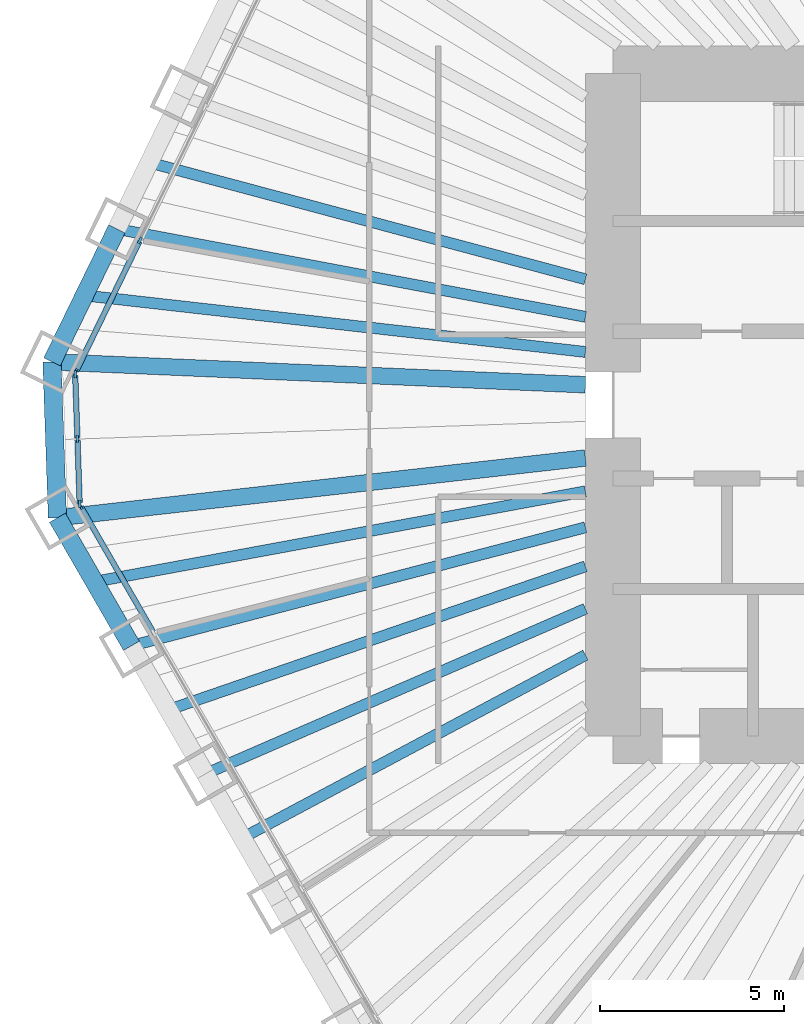
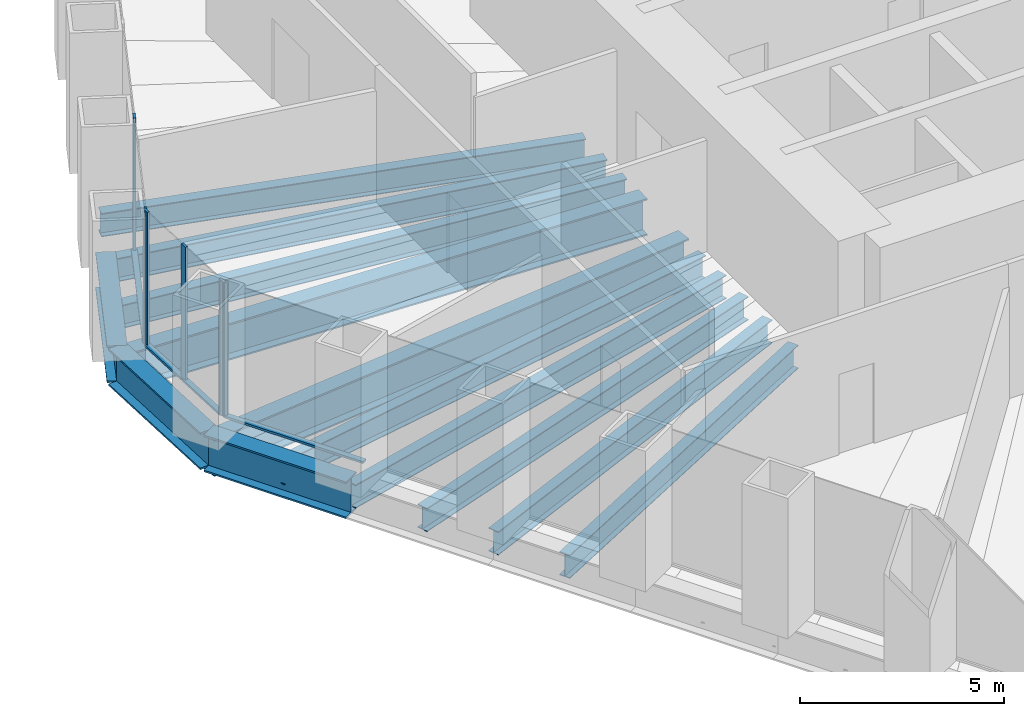
# One storey, part 3 of 13: 13 beams, 10 members, 3 elements without a shape of their own.
"""IFC4 building model written with IfcOpenShell, lengths in metres."""

from ifc_helpers import new_model, si_unit, direction, frame, origin, origin_2d, place, context, subcontext, project, spatial, rectangle, i_section, extrude, material, material_profile, profile_set, type_object, element, aggregate, save


model = new_model("IFC4")

# Units and contexts
model_context = context("Model", 3, precision=1e-05, world=origin(), true_north=direction((0.0, 1.0)))
body_context = subcontext(model_context, "Body", "Model", "MODEL_VIEW")
ifc_project = project(units=[si_unit("LENGTHUNIT", "METRE"), si_unit("AREAUNIT", "SQUARE_METRE"), si_unit("VOLUMEUNIT", "CUBIC_METRE"), si_unit("PLANEANGLEUNIT", "RADIAN"), si_unit("MASSUNIT", "GRAM", prefix="KILO")], contexts=[model_context])

# Site, building, storey
site_placement = place(None, origin())
site = spatial("IfcSite", under=ifc_project, at=site_placement, CompositionType="ELEMENT")
building_placement = place(site_placement, origin())
building = spatial("IfcBuilding", under=site, at=building_placement, Name="Qingtian Harvest Tower", CompositionType="ELEMENT")
storey_placement = place(building_placement, frame((0.0, 0.0, 149.199951171875)))
storey = spatial("IfcBuildingStorey", under=building, at=storey_placement, Name="L31", CompositionType="ELEMENT", Elevation=149.199951171875)

# Beams
ifc_material_1 = material(Name="Steel SM570MC", Category="steel")
ifc_material_profile_1 = material_profile(ifc_material_1, i_section(OverallWidth=0.449951171875, OverallDepth=1.10009765625, WebThickness=0.02197265625, FlangeThickness=0.044921875, at=origin_2d()), Name="H1100x450x22x45")
ifc_profile_set_1 = profile_set([ifc_material_profile_1], Name="Steel SM570MC")
beam_type_1 = type_object("IfcBeamType", Name="Corner floor beam FB8 H1100x450x22x45", PredefinedType="BEAM", material=ifc_profile_set_1)
beam_1_placement = place(storey_placement, frame((-27.096923828125, -3.066650390625, -0.719970703125), z_axis=(0.993656070393, 0.112461610213, 0.0), x_axis=(-0.112461610213, 0.993656070393, 0.0)))
element("IfcBeam", 1, at=beam_1_placement, inside=storey, type_object=beam_type_1, Name="Floor beam FB8 SW6", PredefinedType="BEAM", context=body_context, shape_type="SweptSolid", body=[
    extrude(i_section(OverallWidth=0.449951171875, OverallDepth=1.10009765625, WebThickness=0.02197265625, FlangeThickness=0.044921875, at=origin_2d()), origin(), (0.0, 0.0, 1.0), 14.4384765625),
])
beam_2_placement = place(storey_placement, frame((-27.244873046875, 1.1689453125, -0.719970703125), z_axis=(0.999081074678, -0.042860310542, 0.0), x_axis=(0.042860310542, 0.999081074678, 0.0)))
element("IfcBeam", 2, at=beam_2_placement, inside=storey, type_object=beam_type_1, Name="Floor beam FB8 NW0", PredefinedType="BEAM", context=body_context, shape_type="SweptSolid", body=[
    extrude(i_section(OverallWidth=0.449951171875, OverallDepth=1.10009765625, WebThickness=0.02197265625, FlangeThickness=0.044921875, at=origin_2d()), origin(), (0.0, 0.0, 1.0), 14.50830078125),
])
ifc_material_2 = material(Name="Steel SN490B", Category="steel")
ifc_material_profile_2 = material_profile(ifc_material_2, i_section(OverallWidth=0.300048828125, OverallDepth=0.699951171875, WebThickness=0.012939453125, FlangeThickness=0.02392578125, at=origin_2d()), Name="H700x300x13x24")
ifc_profile_set_2 = profile_set([ifc_material_profile_2], Name="Steel SN490B")
beam_type_2 = type_object("IfcBeamType", Name="Floor beam FB2 H700x300x13x24", PredefinedType="BEAM", material=ifc_profile_set_2)
beam_3_placement = place(storey_placement, frame((-23.077880859375, -10.02783203125, -0.52001953125), z_axis=(0.917154138631, 0.398532666154, 0.0), x_axis=(-0.398532666154, 0.917154138631, 0.0)))
element("IfcBeam", 3, at=beam_3_placement, inside=storey, type_object=beam_type_2, Name="Floor beam FB2 SW4", PredefinedType="BEAM", context=body_context, shape_type="SweptSolid", body=[
    extrude(i_section(OverallWidth=0.300048828125, OverallDepth=0.699951171875, WebThickness=0.012939453125, FlangeThickness=0.02392578125, at=origin_2d()), origin(), (0.0, 0.0, 1.0), 11.2607421875),
])
beam_4_placement = place(storey_placement, frame((-25.08740234375, -6.547119140625, -0.52001953125), z_axis=(0.967592867696, 0.252515429991, 0.0), x_axis=(-0.252515429991, 0.967592867696, 0.0)))
element("IfcBeam", 4, at=beam_4_placement, inside=storey, type_object=beam_type_2, Name="Floor beam FB2 SW5", PredefinedType="BEAM", context=body_context, shape_type="SweptSolid", body=[
    extrude(i_section(OverallWidth=0.300048828125, OverallDepth=0.699951171875, WebThickness=0.012939453125, FlangeThickness=0.02392578125, at=origin_2d()), origin(), (0.0, 0.0, 1.0), 12.750732421875),
])
beam_5_placement = place(storey_placement, frame((-25.483154296875, 4.78125, -0.52001953125), z_axis=(0.982851913913, -0.184396625015, 0.0), x_axis=(0.184396625015, 0.982851913913, 0.0)))
element("IfcBeam", 5, at=beam_5_placement, inside=storey, type_object=beam_type_2, Name="Floor beam FB2 NW1", PredefinedType="BEAM", context=body_context, shape_type="SweptSolid", body=[
    extrude(i_section(OverallWidth=0.300048828125, OverallDepth=0.699951171875, WebThickness=0.012939453125, FlangeThickness=0.02392578125, at=origin_2d()), origin(), (0.0, 0.0, 1.0), 12.955322265625),
])
ifc_material_3 = material(Name="Steel SN490B", Category="steel")
ifc_material_profile_3 = material_profile(ifc_material_3, i_section(OverallWidth=0.300048828125, OverallDepth=0.699951171875, WebThickness=0.012939453125, FlangeThickness=0.02392578125, at=origin_2d()), Name="H700x300x13x24")
ifc_profile_set_3 = profile_set([ifc_material_profile_3], Name="Steel SN490B")
beam_type_3 = type_object("IfcBeamType", Name="Floor joist J2 H700x300x13x24", PredefinedType="JOIST", material=ifc_profile_set_3)
beam_6_placement = place(storey_placement, frame((-22.0732421875, -11.76806640625, -0.52001953125), z_axis=(0.882429048443, 0.47044550637, 0.0), x_axis=(-0.47044550637, 0.882429048443, 0.0)))
element("IfcBeam", 6, at=beam_6_placement, inside=storey, type_object=beam_type_3, Name="Floor joist J2 SW3", PredefinedType="JOIST", context=body_context, shape_type="SweptSolid", body=[
    extrude(i_section(OverallWidth=0.300048828125, OverallDepth=0.699951171875, WebThickness=0.012939453125, FlangeThickness=0.02392578125, at=origin_2d()), origin(), (0.0, 0.0, 1.0), 10.5654296875),
])
beam_7_placement = place(storey_placement, frame((-24.082763671875, -8.28759765625, -0.52001953125), z_axis=(0.945577150072, 0.325397992099, 0.0), x_axis=(-0.325397992099, 0.945577150072, 0.0)))
element("IfcBeam", 7, at=beam_7_placement, inside=storey, type_object=beam_type_3, Name="Floor joist J2 SW4", PredefinedType="JOIST", context=body_context, shape_type="SweptSolid", body=[
    extrude(i_section(OverallWidth=0.300048828125, OverallDepth=0.699951171875, WebThickness=0.012939453125, FlangeThickness=0.02392578125, at=origin_2d()), origin(), (0.0, 0.0, 1.0), 11.985107421875),
])
beam_8_placement = place(storey_placement, frame((-26.09228515625, -4.806884765625, -0.52001953125), z_axis=(0.983450319804, 0.181178002192, 0.0), x_axis=(-0.181178002192, 0.983450319804, 0.0)))
element("IfcBeam", 8, at=beam_8_placement, inside=storey, type_object=beam_type_3, Name="Floor joist J2 SW5", PredefinedType="JOIST", context=body_context, shape_type="SweptSolid", body=[
    extrude(i_section(OverallWidth=0.300048828125, OverallDepth=0.699951171875, WebThickness=0.012939453125, FlangeThickness=0.02392578125, at=origin_2d()), origin(), (0.0, 0.0, 1.0), 13.56689453125),
])
beam_9_placement = place(storey_placement, frame((-26.364013671875, 2.97509765625, -0.52001953125), z_axis=(0.993692330348, -0.112140771387, 0.0), x_axis=(0.112140771387, 0.993692330348, 0.0)))
element("IfcBeam", 9, at=beam_9_placement, inside=storey, type_object=beam_type_3, Name="Floor joist J2 NW0", PredefinedType="JOIST", context=body_context, shape_type="SweptSolid", body=[
    extrude(i_section(OverallWidth=0.300048828125, OverallDepth=0.699951171875, WebThickness=0.012939453125, FlangeThickness=0.02392578125, at=origin_2d()), origin(), (0.0, 0.0, 1.0), 13.700439453125),
])
beam_10_placement = place(storey_placement, frame((-24.60205078125, 6.58740234375, -0.52001953125), z_axis=(0.965969893862, -0.258654526641, 0.0), x_axis=(0.258654526641, 0.965969893862, 0.0)))
element("IfcBeam", 10, at=beam_10_placement, inside=storey, type_object=beam_type_3, Name="Floor joist J2 NW1", PredefinedType="JOIST", context=body_context, shape_type="SweptSolid", body=[
    extrude(i_section(OverallWidth=0.300048828125, OverallDepth=0.699951171875, WebThickness=0.012939453125, FlangeThickness=0.02392578125, at=origin_2d()), origin(), (0.0, 0.0, 1.0), 12.26953125),
])

# Curtain wall, member
ifc_material_4 = material(Name="Bronze-anodised aluminium curtain wall", Category="aluminium")
curtain_wall_type = type_object("IfcCurtainWallType", Name="Curtain wall CW4 office", PredefinedType="USERDEFINED", material=ifc_material_4)
curtain_wall_1_placement = place(storey_placement, origin())
curtain_wall_1 = element("IfcCurtainWall", 11, at=curtain_wall_1_placement, inside=storey, type_object=curtain_wall_type, Name="Curtain wall CW4 L31 SW0-5", ObjectType="RECESSED CURTAIN WALL", PredefinedType="USERDEFINED")
ifc_material_5 = material(Name="Bronze-anodised aluminium mullion", Category="aluminium")
ifc_material_profile_4 = material_profile(ifc_material_5, rectangle(XDim=0.06494140625, YDim=0.199951171875, at=origin_2d()), Name="AL 65x200")
ifc_profile_set_4 = profile_set([ifc_material_profile_4], Name="Bronze-anodised aluminium mullion")
member_type_1 = type_object("IfcMemberType", Name="Mullion CWM 65x200", PredefinedType="MULLION", material=ifc_profile_set_4)
member_1_placement = place(storey_placement, frame((-26.474609375, -2.744873046875, 0.0), z_axis=(0.0, 0.0, 1.0), x_axis=(-0.866025403784, -0.5, 0.0)))
member_1 = element("IfcMember", 12, at=member_1_placement, type_object=member_type_1, Name="CW4 mullion 7", PredefinedType="MULLION", context=body_context, shape_type="SweptSolid", body=[
    extrude(rectangle(XDim=0.06494140625, YDim=0.199951171875, at=origin_2d()), origin(), (0.0, 0.0, 1.0), 4.030029296875),
])

# Curtain wall, members
curtain_wall_2_placement = place(storey_placement, origin())
curtain_wall_2 = element("IfcCurtainWall", 13, at=curtain_wall_2_placement, inside=storey, type_object=curtain_wall_type, Name="Curtain wall CW4 L31 SWC", ObjectType="RECESSED CURTAIN WALL", PredefinedType="USERDEFINED")
member_2_placement = place(storey_placement, frame((-26.491943359375, -2.68408203125, 0.0), z_axis=(0.0, 0.0, 1.0), x_axis=(-0.999390827019, -0.034899496703, 0.0)))
member_2 = element("IfcMember", 14, at=member_2_placement, type_object=member_type_1, Name="CW4 mullion 1", PredefinedType="MULLION", context=body_context, shape_type="SweptSolid", body=[
    extrude(rectangle(XDim=0.06494140625, YDim=0.199951171875, at=origin_2d()), origin(), (0.0, 0.0, 1.0), 4.030029296875),
])
member_3_placement = place(storey_placement, frame((-26.55322265625, -0.92724609375, 0.0), z_axis=(0.0, 0.0, 1.0), x_axis=(-0.999390827019, -0.034899496703, 0.0)))
member_3 = element("IfcMember", 15, at=member_3_placement, type_object=member_type_1, Name="CW4 mullion 2", PredefinedType="MULLION", context=body_context, shape_type="SweptSolid", body=[
    extrude(rectangle(XDim=0.06494140625, YDim=0.199951171875, at=origin_2d()), origin(), (0.0, 0.0, 1.0), 4.030029296875),
])
member_4_placement = place(storey_placement, frame((-26.614501953125, 0.82958984375, 0.0), z_axis=(0.0, 0.0, 1.0), x_axis=(-0.999390827019, -0.034899496703, 0.0)))
member_4 = element("IfcMember", 16, at=member_4_placement, type_object=member_type_1, Name="CW4 mullion 3", PredefinedType="MULLION", context=body_context, shape_type="SweptSolid", body=[
    extrude(rectangle(XDim=0.06494140625, YDim=0.199951171875, at=origin_2d()), origin(), (0.0, 0.0, 1.0), 4.030029296875),
])

curtain_wall_3_placement = place(storey_placement, origin())
curtain_wall_3 = element("IfcCurtainWall", 17, at=curtain_wall_3_placement, inside=storey, type_object=curtain_wall_type, Name="Curtain wall CW4 L31 NW0-5", ObjectType="RECESSED CURTAIN WALL", PredefinedType="USERDEFINED")
member_5_placement = place(storey_placement, frame((-26.6015625, 0.891357421875, 0.0), z_axis=(0.0, 0.0, 1.0), x_axis=(-0.898794046299, 0.438371146789, 0.0)))
member_5 = element("IfcMember", 18, at=member_5_placement, type_object=member_type_1, Name="CW4 mullion 1", PredefinedType="MULLION", context=body_context, shape_type="SweptSolid", body=[
    extrude(rectangle(XDim=0.06494140625, YDim=0.199951171875, at=origin_2d()), origin(), (0.0, 0.0, 1.0), 4.030029296875),
])
member_6_placement = place(storey_placement, frame((-24.85400390625, 4.474365234375, 0.0), z_axis=(0.0, 0.0, 1.0), x_axis=(-0.898794046299, 0.438371146789, 0.0)))
member_6 = element("IfcMember", 19, at=member_6_placement, type_object=member_type_1, Name="CW4 mullion 2", PredefinedType="MULLION", context=body_context, shape_type="SweptSolid", body=[
    extrude(rectangle(XDim=0.06494140625, YDim=0.199951171875, at=origin_2d()), origin(), (0.0, 0.0, 1.0), 4.030029296875),
])

# Beams
ifc_material_6 = material(Name="Steel SM570MC", Category="steel")
ifc_material_profile_5 = material_profile(ifc_material_6, i_section(OverallWidth=0.5, OverallDepth=1.10009765625, WebThickness=0.02490234375, FlangeThickness=0.050048828125, at=origin_2d()), Name="H1100x500x25x50")
ifc_profile_set_5 = profile_set([ifc_material_profile_5], Name="Steel SM570MC")
beam_type_4 = type_object("IfcBeamType", Name="Spandrel beam SB2 H1100x500x25x50", PredefinedType="SPANDREL", material=ifc_profile_set_5)
beam_11_placement = place(storey_placement, frame((-25.08740234375, -6.547119140625, -0.550048828125), z_axis=(-0.500013420409, 0.866017655369, 0.0), x_axis=(-0.866017655369, -0.500013420409, 0.0)))
element("IfcBeam", 20, at=beam_11_placement, inside=storey, type_object=beam_type_4, Name="Spandrel SB2 SW5", PredefinedType="SPANDREL", context=body_context, shape_type="SweptSolid", body=[
    extrude(i_section(OverallWidth=0.5, OverallDepth=1.10009765625, WebThickness=0.02490234375, FlangeThickness=0.050048828125, at=origin_2d()), origin(), (0.0, 0.0, 1.0), 4.01904296875),
])
beam_12_placement = place(storey_placement, frame((-27.096923828125, -3.066650390625, -0.550048828125), z_axis=(-0.034908677553, 0.999390506375, 0.0), x_axis=(-0.999390506375, -0.034908677553, 0.0)))
element("IfcBeam", 21, at=beam_12_placement, inside=storey, type_object=beam_type_4, Name="Spandrel SB2 SWC", PredefinedType="SPANDREL", context=body_context, shape_type="SweptSolid", body=[
    extrude(i_section(OverallWidth=0.5, OverallDepth=1.10009765625, WebThickness=0.02490234375, FlangeThickness=0.050048828125, at=origin_2d()), origin(), (0.0, 0.0, 1.0), 4.23828125),
])
beam_13_placement = place(storey_placement, frame((-27.244873046875, 1.1689453125, -0.550048828125), z_axis=(0.438347033158, 0.898805806902, 0.0), x_axis=(-0.898805806902, 0.438347033158, 0.0)))
element("IfcBeam", 22, at=beam_13_placement, inside=storey, type_object=beam_type_4, Name="Spandrel SB2 NW0", PredefinedType="SPANDREL", context=body_context, shape_type="SweptSolid", body=[
    extrude(i_section(OverallWidth=0.5, OverallDepth=1.10009765625, WebThickness=0.02490234375, FlangeThickness=0.050048828125, at=origin_2d()), origin(), (0.0, 0.0, 1.0), 4.01904296875),
])

# Member
ifc_material_7 = material(Name="Bronze-anodised aluminium transom", Category="aluminium")
ifc_material_profile_6 = material_profile(ifc_material_7, rectangle(XDim=0.14990234375, YDim=0.06494140625, at=origin_2d()), Name="AL 65x150")
ifc_profile_set_6 = profile_set([ifc_material_profile_6], Name="Bronze-anodised aluminium transom")
member_type_2 = type_object("IfcMemberType", Name="Transom CWT 65x150", PredefinedType="USERDEFINED", material=ifc_profile_set_6)
member_7_placement = place(storey_placement, frame((-24.49755859375, -6.169189453125, 0.032470703125), z_axis=(-0.499975738995, 0.866039410429, 0.0), x_axis=(-0.866039410429, -0.499975738995, 0.0)))
member_7 = element("IfcMember", 23, at=member_7_placement, type_object=member_type_2, Name="CW4 transom 6.1", ObjectType="TRANSOM", PredefinedType="USERDEFINED", context=body_context, shape_type="SweptSolid", body=[
    extrude(rectangle(XDim=0.14990234375, YDim=0.06494140625, at=origin_2d()), origin(), (0.0, 0.0, 1.0), 3.921630859375),
])

aggregate(curtain_wall_1, [member_1, member_7])

member_8_placement = place(storey_placement, frame((-26.4931640625, -2.651611328125, 0.032470703125), z_axis=(-0.034899362377, 0.99939083171, 0.0), x_axis=(-0.99939083171, -0.034899362377, 0.0)))
member_8 = element("IfcMember", 24, at=member_8_placement, type_object=member_type_2, Name="CW4 transom 1.1", ObjectType="TRANSOM", PredefinedType="USERDEFINED", context=body_context, shape_type="SweptSolid", body=[
    extrude(rectangle(XDim=0.14990234375, YDim=0.06494140625, at=origin_2d()), origin(), (0.0, 0.0, 1.0), 1.69287109375),
])

member_9_placement = place(storey_placement, frame((-26.554443359375, -0.894775390625, 0.032470703125), z_axis=(-0.034899362377, 0.99939083171, 0.0), x_axis=(-0.99939083171, -0.034899362377, 0.0)))
member_9 = element("IfcMember", 25, at=member_9_placement, type_object=member_type_2, Name="CW4 transom 2.1", ObjectType="TRANSOM", PredefinedType="USERDEFINED", context=body_context, shape_type="SweptSolid", body=[
    extrude(rectangle(XDim=0.14990234375, YDim=0.06494140625, at=origin_2d()), origin(), (0.0, 0.0, 1.0), 1.69287109375),
])

aggregate(curtain_wall_2, [member_2, member_3, member_4, member_8, member_9])

member_10_placement = place(storey_placement, frame((-26.587158203125, 0.92041015625, 0.032470703125), z_axis=(0.438326734225, 0.898815706396, 0.0), x_axis=(-0.898815706396, 0.438326734225, 0.0)))
member_10 = element("IfcMember", 26, at=member_10_placement, type_object=member_type_2, Name="CW4 transom 1.1", ObjectType="TRANSOM", PredefinedType="USERDEFINED", context=body_context, shape_type="SweptSolid", body=[
    extrude(rectangle(XDim=0.14990234375, YDim=0.06494140625, at=origin_2d()), origin(), (0.0, 0.0, 1.0), 3.921630859375),
])

aggregate(curtain_wall_3, [member_5, member_6, member_10])

save(model, "model.ifc")
